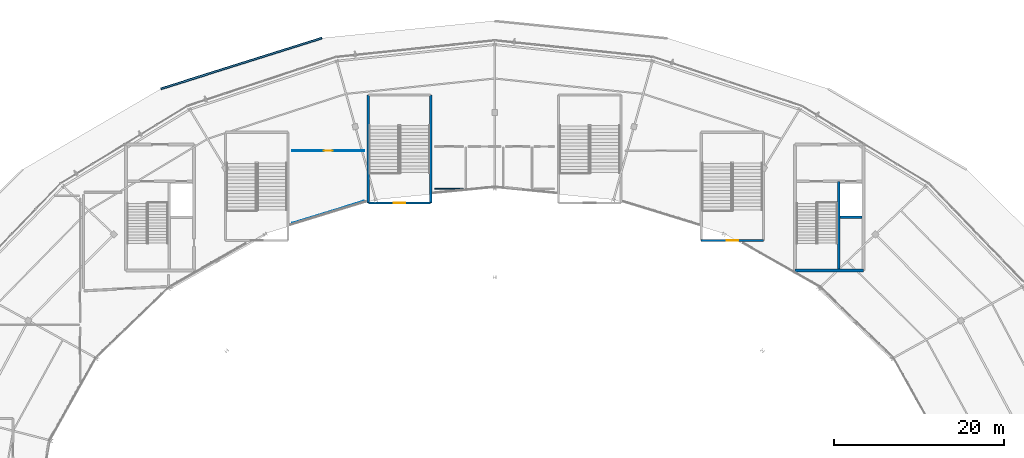
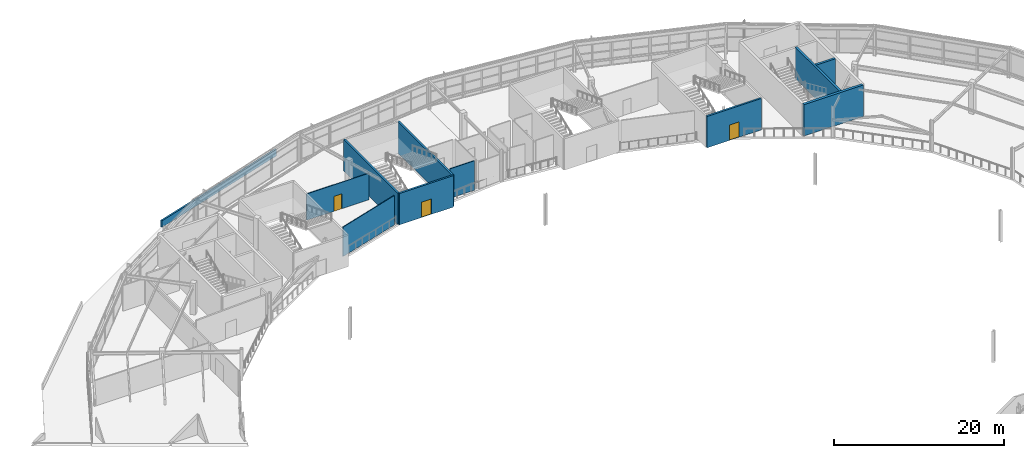
# One storey, part 108 of 126: 11 walls, 3 doors, 3 openings.
"""IFC4 building model written with IfcOpenShell, lengths in metres."""

from ifc_helpers import new_model, si_unit, direction, frame, frame_2d, origin, place, context, subcontext, project, spatial, rectangle, extrude, material, layer, layer_set, type_object, element, fill, save


model = new_model("IFC4")

# Units and contexts
model_context = context("Model", 3, precision=1e-05, world=origin(), true_north=direction((0.0, 1.0)))
body_context = subcontext(model_context, "Body", "Model", "MODEL_VIEW")
ifc_project = project(units=[si_unit("LENGTHUNIT", "METRE"), si_unit("AREAUNIT", "SQUARE_METRE"), si_unit("VOLUMEUNIT", "CUBIC_METRE"), si_unit("PLANEANGLEUNIT", "RADIAN"), si_unit("MASSUNIT", "GRAM", prefix="KILO")], contexts=[model_context])

# Site, building, storey
site_placement = place(None, origin())
site = spatial("IfcSite", under=ifc_project, at=site_placement, CompositionType="ELEMENT")
building_placement = place(site_placement, origin())
building = spatial("IfcBuilding", under=site, at=building_placement, Name="Kalgoora Escarpment Arena", CompositionType="ELEMENT")
storey_placement = place(building_placement, frame((0.0, 0.0, 18.89990234375)))
storey = spatial("IfcBuildingStorey", under=building, at=storey_placement, Name="L04", CompositionType="ELEMENT", Elevation=18.89990234375)

# Walls
ifc_material_1 = material(Name="Concrete N50 (fc' 50 MPa)", Category="concrete")
ifc_layer_1 = layer(ifc_material_1, 0.35009765625)
ifc_layer_set_1 = layer_set([ifc_layer_1], Name="WAL-CORE-350")
wall_type_1 = type_object("IfcWallType", Name="WAL-CORE-350", PredefinedType="SHEAR", material=ifc_layer_set_1)
wall_1_placement = place(storey_placement, frame((127.77490234375, 94.375, 0.0), z_axis=(0.0, 0.0, 1.0), x_axis=(1.0, 0.0, 0.0)))
element("IfcWall", 1, at=wall_1_placement, inside=storey, type_object=wall_type_1, Name="Core C4 L04 south shear wall", PredefinedType="SHEAR", context=body_context, shape_type="SweptSolid", body=[
    extrude(rectangle(XDim=8.050048828125, YDim=0.35009765625, at=frame_2d((4.02490234375, 0.0))), origin(), (0.0, 0.0, 1.0), 4.5),
])
ifc_material_2 = material(Name="Framed acoustic studio partition", Category="gypsum")
ifc_layer_2 = layer(ifc_material_2, 0.10498046875)
ifc_layer_set_2 = layer_set([ifc_layer_2], Name="WAL-GLZ-105")
wall_type_2 = type_object("IfcWallType", Name="WAL-GLZ-105", PredefinedType="PARTITIONING", material=ifc_layer_set_2)
wall_2_placement = place(storey_placement, frame((77.028564453125, 102.543212890625, 0.0), z_axis=(0.0, 0.0, 1.0), x_axis=(-0.955968559478, -0.293469101082, 0.0)))
element("IfcWall", 2, at=wall_2_placement, inside=storey, type_object=wall_type_2, Name="L04 Governors Executive Boardroom partition wall", PredefinedType="PARTITIONING", context=body_context, shape_type="SweptSolid", body=[
    extrude(rectangle(XDim=8.8466796875, YDim=0.10498046875, at=frame_2d((4.42333984375, 0.0))), origin(), (0.0, 0.0, 1.0), 4.22021484375),
])

# Wall, opening, door
wall_3_placement = place(storey_placement, frame((68.574951171875, 108.5, 0.0), z_axis=(0.0, 0.0, 1.0), x_axis=(1.0, 0.0, 0.0)))
wall_3 = element("IfcWall", 3, at=wall_3_placement, inside=storey, type_object=wall_type_2, Name="L04 Governors Executive Boardroom partition wall", PredefinedType="PARTITIONING", context=body_context, shape_type="SweptSolid", body=[
    extrude(rectangle(XDim=8.449951171875, YDim=0.10498046875, at=frame_2d((4.22509765625, 0.0))), origin(), (0.0, 0.0, 1.0), 3.7890625),
])
opening_1_placement = place(wall_3_placement, frame((3.68505859375, 0.0, 0.0)))
opening_1 = element("IfcOpeningElement", 4, at=opening_1_placement, cuts=wall_3, Name="Opening FD-I137", PredefinedType="OPENING", context=body_context, shape_type="SweptSolid", body=[
    extrude(rectangle(XDim=1.080078125, YDim=2.14990234375, at=frame_2d((0.5400390625, 1.074951171875))), frame((0.0, 0.0625, 0.0), z_axis=(0.0, -1.0, 0.0), x_axis=(1.0, 0.0, 0.0)), (0.0, 0.0, 1.0), 0.125),
])
ifc_material_3 = material(Name="Solid-core acoustic timber door", Category="wood")
door_type_1 = type_object("IfcDoorType", Name="DR-GEN-1080", OperationType="NOTDEFINED", PredefinedType="DOOR", material=ifc_material_3)
door_1_placement = place(opening_1_placement, origin())
door_1 = element("IfcDoor", 5, at=door_1_placement, inside=storey, type_object=door_type_1, Name="Governors Executive Boardroom entrance door", OperationType="SINGLE_SWING_LEFT", OverallHeight=2.14990234375, OverallWidth=1.080078125, PredefinedType="DOOR", context=body_context, shape_type="SweptSolid", body=[
    extrude(rectangle(XDim=1.080078125, YDim=2.14990234375, at=frame_2d((0.5400390625, 1.074951171875))), frame((0.0, 0.02490234375, 0.0), z_axis=(0.0, -1.0, 0.0), x_axis=(1.0, 0.0, 0.0)), (0.0, 0.0, 1.0), 0.050048828125),
])
fill(opening_1, door_1)

# Walls
ifc_material_4 = material(Name="Precast limestone coping parapet Concrete N40 (fc' 40 MPa)", Category="masonry")
ifc_layer_3 = layer(ifc_material_4, 0.22509765625)
ifc_layer_set_3 = layer_set([ifc_layer_3], Name="WAL-PAR-225")
wall_type_3 = type_object("IfcWallType", Name="WAL-PAR-225", PredefinedType="PARAPET", material=ifc_layer_set_3)
wall_4_placement = place(storey_placement, frame((53.10009765625, 115.788330078125, 0.0), z_axis=(0.0, 0.0, 1.0), x_axis=(0.953759231515, 0.300571669159, 0.0)))
element("IfcWall", 6, at=wall_4_placement, inside=storey, type_object=wall_type_3, Name="L04 stepped ziggurat limestone parapet 011", PredefinedType="PARAPET", context=body_context, shape_type="SweptSolid", body=[
    extrude(rectangle(XDim=19.8759765625, YDim=0.22509765625, at=frame_2d((9.93798828125, 0.0))), origin(), (0.0, 0.0, 1.0), 0.9501953125),
])
ifc_material_5 = material(Name="Concrete N50 (fc' 50 MPa)", Category="concrete")
ifc_layer_4 = layer(ifc_material_5, 0.300048828125)
ifc_layer_set_4 = layer_set([ifc_layer_4], Name="WAL-SHAFT-300")
wall_type_4 = type_object("IfcWallType", Name="WAL-SHAFT-300", PredefinedType="SHEAR", material=ifc_layer_set_4)
wall_5_placement = place(storey_placement, frame((132.89990234375, 94.550048828125, 0.0), z_axis=(0.0, 0.0, 1.0), x_axis=(0.0, 1.0, 0.0)))
element("IfcWall", 7, at=wall_5_placement, inside=storey, type_object=wall_type_4, Name="Core C4 L04 stair-lift spine wall", PredefinedType="SHEAR", context=body_context, shape_type="SweptSolid", body=[
    extrude(rectangle(XDim=10.349853515625, YDim=0.300048828125, at=frame_2d((5.1748046875, 0.0))), origin(), (0.0, 0.0, 1.0), 4.5),
])
wall_6_placement = place(storey_placement, frame((133.050048828125, 100.64990234375, 0.0), z_axis=(0.0, 0.0, 1.0), x_axis=(1.0, 0.0, 0.0)))
element("IfcWall", 8, at=wall_6_placement, inside=storey, type_object=wall_type_4, Name="Core C4 L04 lift-riser divider wall", PredefinedType="SHEAR", context=body_context, shape_type="SweptSolid", body=[
    extrude(rectangle(XDim=2.599853515625, YDim=0.300048828125, at=frame_2d((1.2998046875, 0.0))), origin(), (0.0, 0.0, 1.0), 4.5),
])

# Wall, opening, door
ifc_material_6 = material(Name="Concrete N50 (fc' 50 MPa)", Category="concrete")
ifc_layer_5 = layer(ifc_material_6, 0.25)
ifc_layer_set_5 = layer_set([ifc_layer_5], Name="WAL-STAIR-250")
wall_type_5 = type_object("IfcWallType", Name="WAL-STAIR-250", PredefinedType="SHEAR", material=ifc_layer_set_5)
wall_7_placement = place(storey_placement, frame((77.52490234375, 102.324951171875, 0.0), z_axis=(0.0, 0.0, 1.0), x_axis=(1.0, 0.0, 0.0)))
wall_7 = element("IfcWall", 9, at=wall_7_placement, inside=storey, type_object=wall_type_5, Name="Exit stair ST10 L04 south wall", PredefinedType="SHEAR", context=body_context, shape_type="SweptSolid", body=[
    extrude(rectangle(XDim=7.35009765625, YDim=0.25, at=frame_2d((3.675048828125, 0.0))), origin(), (0.0, 0.0, 1.0), 4.5),
])
opening_2_placement = place(wall_7_placement, frame((3.014892578125, 0.0, 0.0)))
opening_2 = element("IfcOpeningElement", 10, at=opening_2_placement, cuts=wall_7, Name="Opening FD-ST10", PredefinedType="OPENING", context=body_context, shape_type="SweptSolid", body=[
    extrude(rectangle(XDim=1.320068359375, YDim=2.199951171875, at=frame_2d((0.66015625, 1.10009765625))), frame((0.0, 0.135009765625, 0.0), z_axis=(0.0, -1.0, 0.0), x_axis=(1.0, 0.0, 0.0)), (0.0, 0.0, 1.0), 0.27001953125),
])
ifc_material_7 = material(Name="Fire-rated steel stair leaf with vision panel", Category="steel")
door_type_2 = type_object("IfcDoorType", Name="DR-STAIR-1320", OperationType="NOTDEFINED", PredefinedType="DOOR", material=ifc_material_7)
door_2_placement = place(opening_2_placement, origin())
door_2 = element("IfcDoor", 11, at=door_2_placement, inside=storey, type_object=door_type_2, Name="Fire-isolated stair ST10 L04 egress door", OperationType="SINGLE_SWING_RIGHT", OverallHeight=2.199951171875, OverallWidth=1.320068359375, PredefinedType="DOOR", context=body_context, shape_type="SweptSolid", body=[
    extrude(rectangle(XDim=1.320068359375, YDim=2.199951171875, at=frame_2d((0.66015625, 1.10009765625))), frame((0.0, 0.02490234375, 0.0), z_axis=(0.0, -1.0, 0.0), x_axis=(1.0, 0.0, 0.0)), (0.0, 0.0, 1.0), 0.050048828125),
])
fill(opening_2, door_2)

# Walls
for number, where, z_axis, x_axis, name in (
    (12, (77.52490234375, 102.324951171875, 0.0), (0.0, 0.0, 1.0), (0.0, 1.0, 0.0), "Exit stair ST10 L04 west wall"),
    (13, (84.875, 102.324951171875, 0.0), (0.0, 0.0, 1.0), (0.0, 1.0, 0.0), "Exit stair ST10 L04 east wall"),
):
    element("IfcWall", number, at=place(storey_placement, frame(where, z_axis=z_axis, x_axis=x_axis)), inside=storey, type_object=wall_type_5, Name=name, PredefinedType="SHEAR", context=body_context, shape_type="SweptSolid", body=[
        extrude(rectangle(XDim=12.75, YDim=0.25, at=frame_2d((6.375, 0.0))), origin(), (0.0, 0.0, 1.0), 4.5),
    ])

# Wall, opening, door
wall_8_placement = place(storey_placement, frame((116.72509765625, 97.925048828125, 0.0), z_axis=(0.0, 0.0, 1.0), x_axis=(1.0, 0.0, 0.0)))
wall_8 = element("IfcWall", 14, at=wall_8_placement, inside=storey, type_object=wall_type_5, Name="Exit stair ST12 L04 south wall", PredefinedType="SHEAR", context=body_context, shape_type="SweptSolid", body=[
    extrude(rectangle(XDim=7.349853515625, YDim=0.25, at=frame_2d((3.6748046875, 0.0))), origin(), (0.0, 0.0, 1.0), 4.5),
])
opening_3_placement = place(wall_8_placement, frame((3.014892578125, 0.0, 0.0)))
opening_3 = element("IfcOpeningElement", 15, at=opening_3_placement, cuts=wall_8, Name="Opening FD-ST12", PredefinedType="OPENING", context=body_context, shape_type="SweptSolid", body=[
    extrude(rectangle(XDim=1.320068359375, YDim=2.199951171875, at=frame_2d((0.66015625, 1.10009765625))), frame((0.0, 0.135009765625, 0.0), z_axis=(0.0, -1.0, 0.0), x_axis=(1.0, 0.0, 0.0)), (0.0, 0.0, 1.0), 0.27001953125),
])
door_3_placement = place(opening_3_placement, origin())
door_3 = element("IfcDoor", 16, at=door_3_placement, inside=storey, type_object=door_type_2, Name="Fire-isolated stair ST12 L04 egress door", OperationType="SINGLE_SWING_RIGHT", OverallHeight=2.199951171875, OverallWidth=1.320068359375, PredefinedType="DOOR", context=body_context, shape_type="SweptSolid", body=[
    extrude(rectangle(XDim=1.320068359375, YDim=2.199951171875, at=frame_2d((0.66015625, 1.10009765625))), frame((0.0, 0.02490234375, 0.0), z_axis=(0.0, -1.0, 0.0), x_axis=(1.0, 0.0, 0.0)), (0.0, 0.0, 1.0), 0.050048828125),
])
fill(opening_3, door_3)

# Wall
ifc_material_8 = material(Name="Moisture-resistant wet-area partition", Category="gypsum")
ifc_layer_6 = layer(ifc_material_8, 0.125)
ifc_layer_set_6 = layer_set([ifc_layer_6], Name="WAL-WC-125")
wall_type_6 = type_object("IfcWallType", Name="WAL-WC-125", PredefinedType="PARTITIONING", material=ifc_layer_set_6)
wall_9_placement = place(storey_placement, frame((88.715087890625, 104.0, 0.0), z_axis=(0.0, 0.0, 1.0), x_axis=(-1.0, 0.0, 0.0)))
element("IfcWall", 17, at=wall_9_placement, inside=storey, type_object=wall_type_6, Name="L04 Male WC partition wall", PredefinedType="PARTITIONING", context=body_context, shape_type="SweptSolid", body=[
    extrude(rectangle(XDim=3.340087890625, YDim=0.125, at=frame_2d((1.669921875, 0.0))), origin(), (0.0, 0.0, 1.0), 4.22021484375),
])

save(model, "model.ifc")
